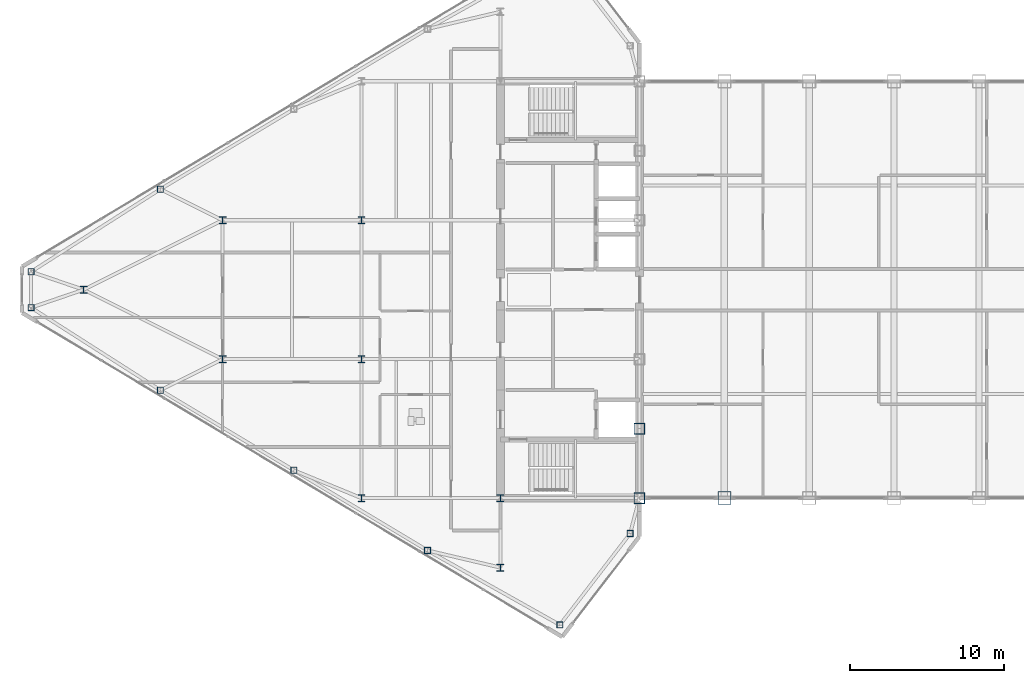
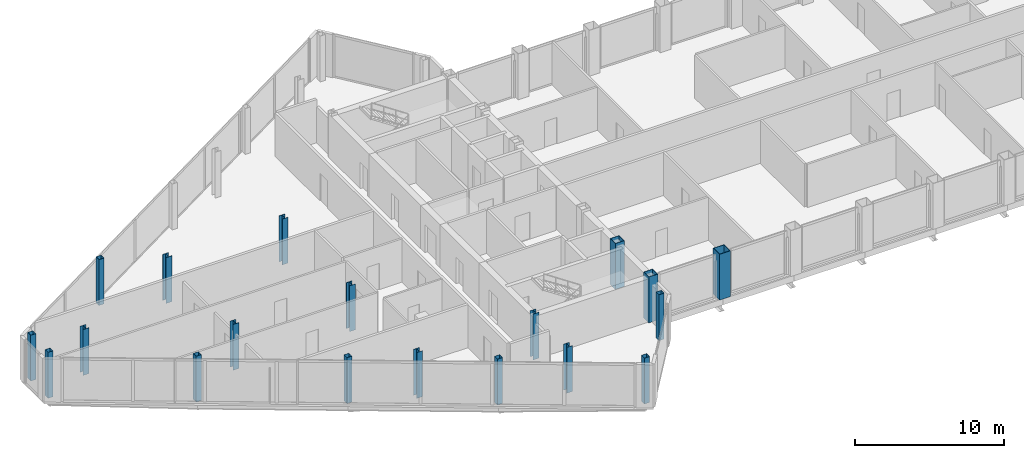
# One storey, part 1 of 29: 19 columns.
"""IFC4 building model written with IfcOpenShell, lengths in metres."""

from ifc_helpers import new_model, si_unit, direction, frame, origin, origin_2d, place, context, subcontext, project, spatial, hollow_rectangle, i_section, extrude, source, transform, mapped, material, material_profile, profile_set, type_object, type_shapes, element, save


model = new_model("IFC4")

# Units and contexts
model_context = context("Model", 3, precision=1e-05, world=origin(), true_north=direction((0.0, 1.0)))
body_context = subcontext(model_context, "Body", "Model", "MODEL_VIEW")
ifc_project = project(units=[si_unit("LENGTHUNIT", "METRE"), si_unit("AREAUNIT", "SQUARE_METRE"), si_unit("VOLUMEUNIT", "CUBIC_METRE"), si_unit("PLANEANGLEUNIT", "RADIAN"), si_unit("MASSUNIT", "GRAM", prefix="KILO")], contexts=[model_context])

# Site, building, storey
site_placement = place(None, origin())
site = spatial("IfcSite", under=ifc_project, at=site_placement, CompositionType="ELEMENT")
building_placement = place(site_placement, origin())
building = spatial("IfcBuilding", under=site, at=building_placement, Name="Seokmaru Belvedere", CompositionType="ELEMENT")
storey_placement = place(building_placement, frame((0.0, 0.0, 246.89990234375)))
storey = spatial("IfcBuildingStorey", under=building, at=storey_placement, Name="L65", CompositionType="ELEMENT", Elevation=246.89990234375)

# Columns
ifc_material_1 = material(Name="Steel SM355 (355 MPa)", Category="steel")
ifc_material_profile_1 = material_profile(ifc_material_1, hollow_rectangle(XDim=0.699951171875, YDim=0.699951171875, WallThickness=0.030029296875, at=origin_2d()), Name="BOX-700x700x30")
ifc_profile_set_1 = profile_set([ifc_material_profile_1], Name="Steel SM355 (355 MPa)")
column_type_1 = type_object("IfcColumnType", Name="Upper Spine Column BOX-700", PredefinedType="COLUMN", material=ifc_profile_set_1)
shared_shape_1 = source(origin(), body_context, "Body", "SweptSolid", [
    extrude(hollow_rectangle(XDim=0.699951171875, YDim=0.699951171875, WallThickness=0.030029296875, at=origin_2d()), origin(), (0.0, 0.0, 1.0), 3.75),
])
type_shapes(column_type_1, [shared_shape_1])
for number, where, z_axis, x_axis, name in (
    (1, (-27.5, -13.5, 0.0), (0.0, 0.0, 1.0), (1.0, 0.0, 0.0), "L65 Column WS1"),
    (2, (-27.5, -9.0, 0.0), (0.0, 0.0, 1.0), (1.0, 0.0, 0.0), "L65 Column WS2"),
):
    element("IfcColumn", number, at=place(storey_placement, frame(where, z_axis=z_axis, x_axis=x_axis)), inside=storey, type_object=column_type_1, Name=name, PredefinedType="COLUMN", context=body_context, shape_type="MappedRepresentation", body=[
        mapped(shared_shape_1, transform((0.0, 0.0, 0.0), scale=1.0)),
    ])
ifc_material_profile_2 = material_profile(ifc_material_1, i_section(OverallWidth=0.449951171875, OverallDepth=0.449951171875, WebThickness=0.01611328125, FlangeThickness=0.02490234375, at=origin_2d()), Name="H-450x450x16x25")
ifc_profile_set_2 = profile_set([ifc_material_profile_2], Name="Steel SM355 (355 MPa)")
column_type_2 = type_object("IfcColumnType", Name="Sky-Gate Column H-450", PredefinedType="COLUMN", material=ifc_profile_set_2)
shared_shape_2 = source(origin(), body_context, "Body", "SweptSolid", [
    extrude(i_section(OverallWidth=0.449951171875, OverallDepth=0.449951171875, WebThickness=0.01611328125, FlangeThickness=0.02490234375, at=origin_2d()), origin(), (0.0, 0.0, 1.0), 3.75),
])
type_shapes(column_type_2, [shared_shape_2])
for number, where, z_axis, x_axis, name in (
    (3, (-36.5, -18.0, 0.0), (0.0, 0.0, 1.0), (1.0, 0.0, 0.0), "L65 Column WC1"),
    (4, (-36.5, -13.5, 0.0), (0.0, 0.0, 1.0), (1.0, 0.0, 0.0), "L65 Column WC2"),
    (5, (-45.5, -13.5, 0.0), (0.0, 0.0, 1.0), (1.0, 0.0, 0.0), "L65 Column WG5_1"),
    (6, (-45.5, -4.5, 0.0), (0.0, 0.0, 1.0), (1.0, 0.0, 0.0), "L65 Column WG5_2"),
    (7, (-45.5, 4.5, 0.0), (0.0, 0.0, 1.0), (1.0, 0.0, 0.0), "L65 Column WG5_3"),
    (8, (-54.5, -4.5, 0.0), (0.0, 0.0, 1.0), (1.0, 0.0, 0.0), "L65 Column WG4P_1"),
    (9, (-54.5, 4.5, 0.0), (0.0, 0.0, 1.0), (1.0, 0.0, 0.0), "L65 Column WG4P_2"),
    (10, (-63.5, 0.0, 0.0), (0.0, 0.0, 1.0), (1.0, 0.0, 0.0), "L65 Column WG3P_1"),
):
    element("IfcColumn", number, at=place(storey_placement, frame(where, z_axis=z_axis, x_axis=x_axis)), inside=storey, type_object=column_type_2, Name=name, PredefinedType="COLUMN", context=body_context, shape_type="MappedRepresentation", body=[
        mapped(shared_shape_2, transform((0.0, 0.0, 0.0), scale=1.0)),
    ])
ifc_material_profile_3 = material_profile(ifc_material_1, hollow_rectangle(XDim=0.39990234375, YDim=0.39990234375, WallThickness=0.01611328125, at=origin_2d()), Name="HSS-400x400x16")
ifc_profile_set_3 = profile_set([ifc_material_profile_3], Name="Steel SM355 (355 MPa)")
column_type_3 = type_object("IfcColumnType", Name="Perimeter Facet Column HSS-400", PredefinedType="COLUMN", material=ifc_profile_set_3)
shared_shape_3 = source(origin(), body_context, "Body", "SweptSolid", [
    extrude(hollow_rectangle(XDim=0.39990234375, YDim=0.39990234375, WallThickness=0.01611328125, at=origin_2d()), origin(), (0.0, 0.0, 1.0), 3.75),
])
type_shapes(column_type_3, [shared_shape_3])
for number, where, z_axis, x_axis, name in (
    (11, (-28.10009765625, -15.7958984375, 0.0), (0.0, 0.0, 1.0), (1.0, 0.0, 0.0), "L65 Column WF1"),
    (12, (-66.89990234375, 1.160400390625, 0.0), (0.0, 0.0, 1.0), (1.0, 0.0, 0.0), "L65 Column WF4"),
    (13, (-66.89990234375, -1.160400390625, 0.0), (0.0, 0.0, 1.0), (1.0, 0.0, 0.0), "L65 Column WF5"),
    (14, (-32.649658203125, -21.71044921875, 0.0), (0.0, 0.0, 1.0), (1.0, 0.0, 0.0), "L65 Column WF6"),
    (15, (-41.229736328125, -16.888916015625, 0.0), (0.0, 0.0, 1.0), (1.0, 0.0, 0.0), "L65 Column WFLK_S1"),
    (16, (-49.8798828125, -11.698974609375, 0.0), (0.0, 0.0, 1.0), (1.0, 0.0, 0.0), "L65 Column WFLK_S2"),
    (17, (-58.530029296875, -6.5087890625, 0.0), (0.0, 0.0, 1.0), (1.0, 0.0, 0.0), "L65 Column WFLK_S3"),
    (18, (-58.530029296875, 6.5087890625, 0.0), (0.0, 0.0, 1.0), (1.0, 0.0, 0.0), "L65 Column WFLK_N3"),
):
    element("IfcColumn", number, at=place(storey_placement, frame(where, z_axis=z_axis, x_axis=x_axis)), inside=storey, type_object=column_type_3, Name=name, PredefinedType="COLUMN", context=body_context, shape_type="MappedRepresentation", body=[
        mapped(shared_shape_3, transform((0.0, 0.0, 0.0), scale=1.0)),
    ])
ifc_material_2 = material(Name="Steel HSA650 (650 MPa)", Category="steel")
ifc_material_profile_4 = material_profile(ifc_material_2, hollow_rectangle(XDim=0.85009765625, YDim=0.85009765625, WallThickness=0.035888671875, at=origin_2d()), Name="BOX-850x850x36")
ifc_profile_set_4 = profile_set([ifc_material_profile_4], Name="Steel HSA650 (650 MPa)")
column_type_4 = type_object("IfcColumnType", Name="Portal Spine Column BOX-850", PredefinedType="COLUMN", material=ifc_profile_set_4)
shared_shape_4 = source(origin(), body_context, "Body", "SweptSolid", [
    extrude(hollow_rectangle(XDim=0.85009765625, YDim=0.85009765625, WallThickness=0.035888671875, at=origin_2d()), origin(), (0.0, 0.0, 1.0), 3.75),
])
type_shapes(column_type_4, [shared_shape_4])
column_placement = place(storey_placement, frame((-22.0, -13.5, 0.0), z_axis=(0.0, 0.0, 1.0), x_axis=(1.0, 0.0, 0.0)))
element("IfcColumn", 19, at=column_placement, inside=storey, type_object=column_type_4, Name="L65 Column BRS_1", PredefinedType="COLUMN", context=body_context, shape_type="MappedRepresentation", body=[
    mapped(shared_shape_4, transform((0.0, 0.0, 0.0), scale=1.0)),
])

save(model, "model.ifc")
